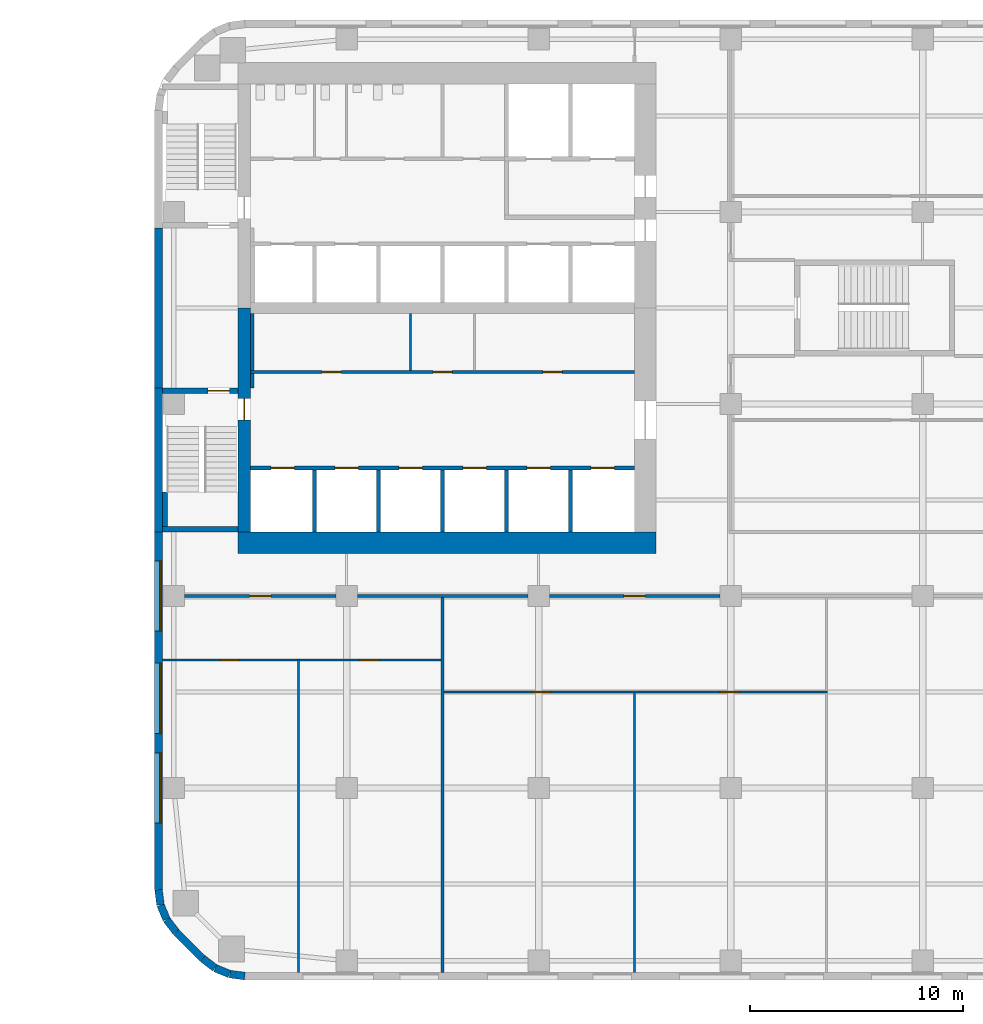
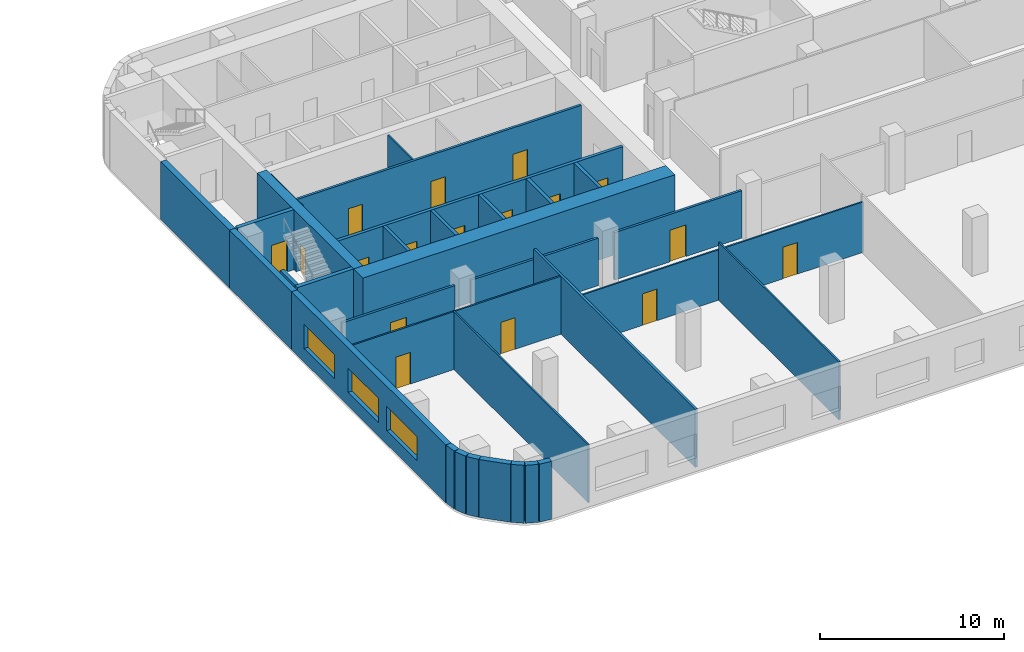
# One storey, part 9 of 16: 34 walls, 17 doors, 3 windows, 20 openings.
"""IFC4 building model written with IfcOpenShell, lengths in metres."""

from ifc_helpers import new_model, si_unit, direction, frame, frame_2d, origin, place, context, subcontext, project, spatial, rectangle, extrude, material, layer, layer_set, type_object, element, fill, save


model = new_model("IFC4")

# Units and contexts
model_context = context("Model", 3, precision=1e-05, world=origin(), true_north=direction((0.0, 1.0)))
body_context = subcontext(model_context, "Body", "Model", "MODEL_VIEW")
ifc_project = project(units=[si_unit("LENGTHUNIT", "METRE"), si_unit("AREAUNIT", "SQUARE_METRE"), si_unit("VOLUMEUNIT", "CUBIC_METRE"), si_unit("PLANEANGLEUNIT", "RADIAN"), si_unit("MASSUNIT", "GRAM", prefix="KILO")], contexts=[model_context])

# Site, building, storey
site_placement = place(None, origin())
site = spatial("IfcSite", under=ifc_project, at=site_placement, CompositionType="ELEMENT")
building_placement = place(site_placement, origin())
building = spatial("IfcBuilding", under=site, at=building_placement, Name="Cinnabar Reach Civic Tower", CompositionType="ELEMENT")
storey_placement = place(building_placement, frame((0.0, 0.0, 30.0)))
storey = spatial("IfcBuildingStorey", under=building, at=storey_placement, Name="L06", CompositionType="ELEMENT", Elevation=30.0)

# Walls
ifc_material_1 = material(Name="Facing brick with insulated backing", Category="masonry")
ifc_layer_1 = layer(ifc_material_1, 0.36)
ifc_layer_set_1 = layer_set([ifc_layer_1], Name="Brick corner wall")
wall_type_1 = type_object("IfcWallType", Name="Brick corner wall", PredefinedType="STANDARD", material=ifc_layer_set_1)
for number, where, z_axis, x_axis, name in (
    (1, (0.183, 4.2314, 0.0), (0.0, 0.0, 1.0), (0.13055608231, -0.99144092581, 0.0), "Brick corner wall"),
    (2, (0.2819, 3.5027, 0.0), (0.0, 0.0, 1.0), (0.382702709855, -0.923871547278, 0.0), "Brick corner wall"),
):
    element("IfcWall", number, at=place(storey_placement, frame(where, z_axis=z_axis, x_axis=x_axis)), inside=storey, type_object=wall_type_1, Name=name, PredefinedType="STANDARD", context=body_context, shape_type="SweptSolid", body=[
        extrude(rectangle(XDim=0.7131, YDim=0.36, at=frame_2d((0.3565, 0.0))), origin(), (0.0, 0.0, 1.0), 3.85),
    ])
for number, where, z_axis, x_axis, name in (
    (3, (0.566, 2.8245, 0.0), (0.0, 0.0, 1.0), (0.608802368033, -0.793321924995, 0.0), "Brick corner wall"),
    (4, (2.2587, 1.0002, 0.0), (0.0, 0.0, 1.0), (0.793321924995, -0.608802368033, 0.0), "Brick corner wall"),
):
    element("IfcWall", number, at=place(storey_placement, frame(where, z_axis=z_axis, x_axis=x_axis)), inside=storey, type_object=wall_type_1, Name=name, PredefinedType="STANDARD", context=body_context, shape_type="SweptSolid", body=[
        extrude(rectangle(XDim=0.7132, YDim=0.36, at=frame_2d((0.3566, 0.0))), origin(), (0.0, 0.0, 1.0), 3.85),
    ])
for number, where, z_axis, x_axis, name in (
    (5, (2.8439, 0.5548, 0.0), (0.0, 0.0, 1.0), (0.923871547278, -0.382702709855, 0.0), "Brick corner wall"),
    (6, (3.5244, 0.2761, 0.0), (0.0, 0.0, 1.0), (0.99144092581, -0.13055608231, 0.0), "Brick corner wall"),
):
    element("IfcWall", number, at=place(storey_placement, frame(where, z_axis=z_axis, x_axis=x_axis)), inside=storey, type_object=wall_type_1, Name=name, PredefinedType="STANDARD", context=body_context, shape_type="SweptSolid", body=[
        extrude(rectangle(XDim=0.7131, YDim=0.36, at=frame_2d((0.3565, 0.0))), origin(), (0.0, 0.0, 1.0), 3.85),
    ])
ifc_layer_2 = layer(ifc_material_1, 0.36)
ifc_layer_set_2 = layer_set([ifc_layer_2], Name="Brick pier and spandrel wall")
wall_type_2 = type_object("IfcWallType", Name="Brick pier and spandrel wall", PredefinedType="STANDARD", material=ifc_layer_set_2)
wall_1_placement = place(storey_placement, frame((0.18, 35.25, 0.0), z_axis=(0.0, 0.0, 1.0), x_axis=(0.0, -1.0, 0.0)))
element("IfcWall", 7, at=wall_1_placement, inside=storey, type_object=wall_type_2, Name="Brick facade wall", PredefinedType="STANDARD", context=body_context, shape_type="SweptSolid", body=[
    extrude(rectangle(XDim=7.5, YDim=0.36, at=frame_2d((3.75, 0.0))), origin(), (0.0, 0.0, 1.0), 3.85),
])
wall_2_placement = place(storey_placement, frame((0.18, 27.75, 0.0), z_axis=(0.0, 0.0, 1.0), x_axis=(0.0, -1.0, 0.0)))
element("IfcWall", 8, at=wall_2_placement, inside=storey, type_object=wall_type_2, Name="Brick facade wall", PredefinedType="STANDARD", context=body_context, shape_type="SweptSolid", body=[
    extrude(rectangle(XDim=6.75, YDim=0.36, at=frame_2d((3.375, 0.0))), origin(), (0.0, 0.0, 1.0), 3.85),
])

# Wall, openings, windows
wall_3_placement = place(storey_placement, frame((0.18, 21.0, 0.0), z_axis=(0.0, 0.0, 1.0), x_axis=(0.0, -1.0, 0.0)))
wall_3 = element("IfcWall", 9, at=wall_3_placement, inside=storey, type_object=wall_type_2, Name="Brick facade wall", PredefinedType="STANDARD", context=body_context, shape_type="SweptSolid", body=[
    extrude(rectangle(XDim=16.7574, YDim=0.36, at=frame_2d((8.3787, 0.0))), origin(), (0.0, 0.0, 1.0), 3.85),
])
opening_1_placement = place(wall_3_placement, frame((1.35, 0.0, 0.9)))
opening_1 = element("IfcOpeningElement", 10, at=opening_1_placement, cuts=wall_3, Name="Opening W1048", PredefinedType="OPENING", context=body_context, shape_type="SweptSolid", body=[
    extrude(rectangle(XDim=3.3, YDim=1.6, at=frame_2d((1.65, 0.8))), frame((0.0, 0.19, 0.0), z_axis=(0.0, -1.0, 0.0), x_axis=(1.0, 0.0, 0.0)), (0.0, 0.0, 1.0), 0.38),
])
opening_2_placement = place(wall_3_placement, frame((6.15, 0.0, 0.9)))
opening_2 = element("IfcOpeningElement", 11, at=opening_2_placement, cuts=wall_3, Name="Opening W1049", PredefinedType="OPENING", context=body_context, shape_type="SweptSolid", body=[
    extrude(rectangle(XDim=3.3, YDim=1.6, at=frame_2d((1.65, 0.8))), frame((0.0, 0.19, 0.0), z_axis=(0.0, -1.0, 0.0), x_axis=(1.0, 0.0, 0.0)), (0.0, 0.0, 1.0), 0.38),
])
opening_3_placement = place(wall_3_placement, frame((10.35, 0.0, 0.9)))
opening_3 = element("IfcOpeningElement", 12, at=opening_3_placement, cuts=wall_3, Name="Opening W1050", PredefinedType="OPENING", context=body_context, shape_type="SweptSolid", body=[
    extrude(rectangle(XDim=3.3, YDim=1.6, at=frame_2d((1.65, 0.8))), frame((0.0, 0.19, 0.0), z_axis=(0.0, -1.0, 0.0), x_axis=(1.0, 0.0, 0.0)), (0.0, 0.0, 1.0), 0.38),
])
ifc_material_2 = material(Name="Clear double glazing in aluminium frame", Category="aluminium")
window_type = type_object("IfcWindowType", Name="Deep-set window A", PartitioningType="SINGLE_PANEL", PredefinedType="WINDOW", material=ifc_material_2)
window_1_placement = place(opening_1_placement, origin())
window_1 = element("IfcWindow", 13, at=window_1_placement, inside=storey, type_object=window_type, Name="Window west face", OverallHeight=1.6, OverallWidth=3.3, PartitioningType="SINGLE_PANEL", PredefinedType="WINDOW", context=body_context, shape_type="SweptSolid", body=[
    extrude(rectangle(XDim=3.3, YDim=1.6, at=frame_2d((1.65, 0.8))), frame((0.0, 0.13, 0.0), z_axis=(0.0, -1.0, 0.0), x_axis=(1.0, 0.0, 0.0)), (0.0, 0.0, 1.0), 0.06),
])
fill(opening_1, window_1)
window_2_placement = place(opening_2_placement, origin())
window_2 = element("IfcWindow", 14, at=window_2_placement, inside=storey, type_object=window_type, Name="Window west face", OverallHeight=1.6, OverallWidth=3.3, PartitioningType="SINGLE_PANEL", PredefinedType="WINDOW", context=body_context, shape_type="SweptSolid", body=[
    extrude(rectangle(XDim=3.3, YDim=1.6, at=frame_2d((1.65, 0.8))), frame((0.0, 0.13, 0.0), z_axis=(0.0, -1.0, 0.0), x_axis=(1.0, 0.0, 0.0)), (0.0, 0.0, 1.0), 0.06),
])
fill(opening_2, window_2)
window_3_placement = place(opening_3_placement, origin())
window_3 = element("IfcWindow", 15, at=window_3_placement, inside=storey, type_object=window_type, Name="Window west face", OverallHeight=1.6, OverallWidth=3.3, PartitioningType="SINGLE_PANEL", PredefinedType="WINDOW", context=body_context, shape_type="SweptSolid", body=[
    extrude(rectangle(XDim=3.3, YDim=1.6, at=frame_2d((1.65, 0.8))), frame((0.0, 0.13, 0.0), z_axis=(0.0, -1.0, 0.0), x_axis=(1.0, 0.0, 0.0)), (0.0, 0.0, 1.0), 0.06),
])
fill(opening_3, window_3)

# Walls
wall_4_placement = place(storey_placement, frame((1.006, 2.2486, 0.0), z_axis=(0.0, 0.0, 1.0), x_axis=(0.707106781187, -0.707106781187, 0.0)))
element("IfcWall", 16, at=wall_4_placement, inside=storey, type_object=wall_type_2, Name="Brick facade wall", PredefinedType="STANDARD", context=body_context, shape_type="SweptSolid", body=[
    extrude(rectangle(XDim=1.7573, YDim=0.36, at=frame_2d((0.8787, 0.0))), origin(), (0.0, 0.0, 1.0), 3.85),
])
ifc_material_3 = material(Name="Concrete C70", Category="concrete")
ifc_layer_3 = layer(ifc_material_3, 1.0)
ifc_layer_set_3 = layer_set([ifc_layer_3], Name="Core wall 1000 EI 180")
wall_type_3 = type_object("IfcWallType", Name="Core wall 1000 EI 180", PredefinedType="SOLIDWALL", material=ifc_layer_set_3)
wall_5_placement = place(storey_placement, frame((3.9, 20.5, 0.0), z_axis=(0.0, 0.0, 1.0), x_axis=(1.0, 0.0, 0.0)))
element("IfcWall", 17, at=wall_5_placement, inside=storey, type_object=wall_type_3, Name="Core wall T1 L06 S", PredefinedType="SOLIDWALL", context=body_context, shape_type="SweptSolid", body=[
    extrude(rectangle(XDim=19.6, YDim=1.0, at=frame_2d((9.8, 0.0))), origin(), (0.0, 0.0, 1.0), 4.0),
])

# Wall, opening, door
ifc_layer_4 = layer(ifc_material_3, 0.6)
ifc_layer_set_4 = layer_set([ifc_layer_4], Name="Core wall 600 EI 180")
wall_type_4 = type_object("IfcWallType", Name="Core wall 600 EI 180", PredefinedType="SOLIDWALL", material=ifc_layer_set_4)
wall_6_placement = place(storey_placement, frame((4.2, 31.5, 0.0), z_axis=(0.0, 0.0, 1.0), x_axis=(0.0, -1.0, 0.0)))
wall_6 = element("IfcWall", 18, at=wall_6_placement, inside=storey, type_object=wall_type_4, Name="Core wall T1 L06 W2", PredefinedType="SOLIDWALL", context=body_context, shape_type="SweptSolid", body=[
    extrude(rectangle(XDim=10.5, YDim=0.6, at=frame_2d((5.25, 0.0))), origin(), (0.0, 0.0, 1.0), 4.0),
])
opening_4_placement = place(wall_6_placement, frame((4.25, 0.0, 0.0)))
opening_4 = element("IfcOpeningElement", 19, at=opening_4_placement, cuts=wall_6, Name="Opening D3231", PredefinedType="OPENING", context=body_context, shape_type="SweptSolid", body=[
    extrude(rectangle(XDim=1.0, YDim=2.1, at=frame_2d((0.5, 1.05))), frame((0.0, 0.31, 0.0), z_axis=(0.0, -1.0, 0.0), x_axis=(1.0, 0.0, 0.0)), (0.0, 0.0, 1.0), 0.62),
])
ifc_material_4 = material(Name="Timber door leaf in steel frame", Category="steel")
door_type_1 = type_object("IfcDoorType", Name="Stair door 1000 x 2100 T1", OperationType="SINGLE_SWING_LEFT", PredefinedType="DOOR", material=ifc_material_4)
door_1_placement = place(opening_4_placement, frame((1.0, 0.0, 0.0), z_axis=(0.0, 0.0, 1.0), x_axis=(-1.0, 0.0, 0.0)))
door_1 = element("IfcDoor", 20, at=door_1_placement, inside=storey, type_object=door_type_1, Name="Door D3231", OperationType="SINGLE_SWING_RIGHT", OverallHeight=2.1, OverallWidth=1.0, PredefinedType="DOOR", context=body_context, shape_type="SweptSolid", body=[
    extrude(rectangle(XDim=1.0, YDim=2.1, at=frame_2d((0.5, 1.05))), frame((0.0, 0.025, 0.0), z_axis=(0.0, -1.0, 0.0), x_axis=(1.0, 0.0, 0.0)), (0.0, 0.0, 1.0), 0.05),
])
fill(opening_4, door_1)

ifc_material_5 = material(Name="Gypsum board on steel studs, double layer", Category="steel")
ifc_layer_5 = layer(ifc_material_5, 0.15)
ifc_layer_set_5 = layer_set([ifc_layer_5], Name="Corridor wall 150 T1")
wall_type_5 = type_object("IfcWallType", Name="Corridor wall 150 T1", PredefinedType="PARTITIONING", material=ifc_layer_set_5)
wall_7_placement = place(storey_placement, frame((18.5, 18.0, 0.0), z_axis=(0.0, 0.0, 1.0), x_axis=(1.0, 0.0, 0.0)))
wall_7 = element("IfcWall", 21, at=wall_7_placement, inside=storey, type_object=wall_type_5, Name="Corridor wall 23", PredefinedType="PARTITIONING", context=body_context, shape_type="SweptSolid", body=[
    extrude(rectangle(XDim=8.0, YDim=0.15, at=frame_2d((4.0, 0.0))), origin(), (0.0, 0.0, 1.0), 3.15),
])
opening_5_placement = place(wall_7_placement, frame((3.5, 0.0, 0.0)))
opening_5 = element("IfcOpeningElement", 22, at=opening_5_placement, cuts=wall_7, Name="Opening D3267", PredefinedType="OPENING", context=body_context, shape_type="SweptSolid", body=[
    extrude(rectangle(XDim=1.0, YDim=2.1, at=frame_2d((0.5, 1.05))), frame((0.0, 0.085, 0.0), z_axis=(0.0, -1.0, 0.0), x_axis=(1.0, 0.0, 0.0)), (0.0, 0.0, 1.0), 0.17),
])
door_type_2 = type_object("IfcDoorType", Name="Tenancy entrance door 1000 x 2100 T1", OperationType="SINGLE_SWING_LEFT", PredefinedType="DOOR", material=ifc_material_4)
door_2_placement = place(opening_5_placement, frame((1.0, 0.0, 0.0), z_axis=(0.0, 0.0, 1.0), x_axis=(-1.0, 0.0, 0.0)))
door_2 = element("IfcDoor", 23, at=door_2_placement, inside=storey, type_object=door_type_2, Name="Door D3267", OperationType="SINGLE_SWING_LEFT", OverallHeight=2.1, OverallWidth=1.0, PredefinedType="DOOR", context=body_context, shape_type="SweptSolid", body=[
    extrude(rectangle(XDim=1.0, YDim=2.1, at=frame_2d((0.5, 1.05))), frame((0.0, 0.025, 0.0), z_axis=(0.0, -1.0, 0.0), x_axis=(1.0, 0.0, 0.0)), (0.0, 0.0, 1.0), 0.05),
])
fill(opening_5, door_2)

# Wall
wall_8_placement = place(storey_placement, frame((9.5, 18.0, 0.0), z_axis=(0.0, 0.0, 1.0), x_axis=(1.0, 0.0, 0.0)))
element("IfcWall", 24, at=wall_8_placement, inside=storey, type_object=wall_type_5, Name="Corridor wall 24", PredefinedType="PARTITIONING", context=body_context, shape_type="SweptSolid", body=[
    extrude(rectangle(XDim=8.0, YDim=0.15, at=frame_2d((4.0, 0.0))), origin(), (0.0, 0.0, 1.0), 3.15),
])

# Wall, opening, door
wall_9_placement = place(storey_placement, frame((1.4, 18.0, 0.0), z_axis=(0.0, 0.0, 1.0), x_axis=(1.0, 0.0, 0.0)))
wall_9 = element("IfcWall", 25, at=wall_9_placement, inside=storey, type_object=wall_type_5, Name="Corridor wall 25", PredefinedType="PARTITIONING", context=body_context, shape_type="SweptSolid", body=[
    extrude(rectangle(XDim=7.1, YDim=0.15, at=frame_2d((3.55, 0.0))), origin(), (0.0, 0.0, 1.0), 3.15),
])
opening_6_placement = place(wall_9_placement, frame((3.05, 0.0, 0.0)))
opening_6 = element("IfcOpeningElement", 26, at=opening_6_placement, cuts=wall_9, Name="Opening D3264", PredefinedType="OPENING", context=body_context, shape_type="SweptSolid", body=[
    extrude(rectangle(XDim=1.0, YDim=2.1, at=frame_2d((0.5, 1.05))), frame((0.0, 0.085, 0.0), z_axis=(0.0, -1.0, 0.0), x_axis=(1.0, 0.0, 0.0)), (0.0, 0.0, 1.0), 0.17),
])
door_3_placement = place(opening_6_placement, frame((1.0, 0.0, 0.0), z_axis=(0.0, 0.0, 1.0), x_axis=(-1.0, 0.0, 0.0)))
door_3 = element("IfcDoor", 27, at=door_3_placement, inside=storey, type_object=door_type_2, Name="Door D3264", OperationType="SINGLE_SWING_LEFT", OverallHeight=2.1, OverallWidth=1.0, PredefinedType="DOOR", context=body_context, shape_type="SweptSolid", body=[
    extrude(rectangle(XDim=1.0, YDim=2.1, at=frame_2d((0.5, 1.05))), frame((0.0, 0.025, 0.0), z_axis=(0.0, -1.0, 0.0), x_axis=(1.0, 0.0, 0.0)), (0.0, 0.0, 1.0), 0.05),
])
fill(opening_6, door_3)

# Wall, openings, doors
wall_10_placement = place(storey_placement, frame((4.5, 28.5, 0.0), z_axis=(0.0, 0.0, 1.0), x_axis=(1.0, 0.0, 0.0)))
wall_10 = element("IfcWall", 28, at=wall_10_placement, inside=storey, type_object=wall_type_5, Name="Corridor wall 27", PredefinedType="PARTITIONING", context=body_context, shape_type="SweptSolid", body=[
    extrude(rectangle(XDim=18.0, YDim=0.15, at=frame_2d((9.0, 0.0))), origin(), (0.0, 0.0, 1.0), 3.85),
])
opening_7_placement = place(wall_10_placement, frame((3.35, 0.0, 0.0)))
opening_7 = element("IfcOpeningElement", 29, at=opening_7_placement, cuts=wall_10, Name="Opening D3251", PredefinedType="OPENING", context=body_context, shape_type="SweptSolid", body=[
    extrude(rectangle(XDim=0.9, YDim=2.1, at=frame_2d((0.45, 1.05))), frame((0.0, 0.085, 0.0), z_axis=(0.0, -1.0, 0.0), x_axis=(1.0, 0.0, 0.0)), (0.0, 0.0, 1.0), 0.17),
])
opening_8_placement = place(wall_10_placement, frame((8.55, 0.0, 0.0)))
opening_8 = element("IfcOpeningElement", 30, at=opening_8_placement, cuts=wall_10, Name="Opening D3252", PredefinedType="OPENING", context=body_context, shape_type="SweptSolid", body=[
    extrude(rectangle(XDim=0.9, YDim=2.1, at=frame_2d((0.45, 1.05))), frame((0.0, 0.085, 0.0), z_axis=(0.0, -1.0, 0.0), x_axis=(1.0, 0.0, 0.0)), (0.0, 0.0, 1.0), 0.17),
])
opening_9_placement = place(wall_10_placement, frame((13.7, 0.0, 0.0)))
opening_9 = element("IfcOpeningElement", 31, at=opening_9_placement, cuts=wall_10, Name="Opening D3253", PredefinedType="OPENING", context=body_context, shape_type="SweptSolid", body=[
    extrude(rectangle(XDim=0.9, YDim=2.1, at=frame_2d((0.45, 1.05))), frame((0.0, 0.085, 0.0), z_axis=(0.0, -1.0, 0.0), x_axis=(1.0, 0.0, 0.0)), (0.0, 0.0, 1.0), 0.17),
])
door_type_3 = type_object("IfcDoorType", Name="Single swing door 900 x 2100 corridor T1", OperationType="SINGLE_SWING_LEFT", PredefinedType="DOOR", material=ifc_material_4)
door_4_placement = place(opening_7_placement, origin())
door_4 = element("IfcDoor", 32, at=door_4_placement, inside=storey, type_object=door_type_3, Name="Door D3251", OperationType="SINGLE_SWING_LEFT", OverallHeight=2.1, OverallWidth=0.9, PredefinedType="DOOR", context=body_context, shape_type="SweptSolid", body=[
    extrude(rectangle(XDim=0.9, YDim=2.1, at=frame_2d((0.45, 1.05))), frame((0.0, 0.025, 0.0), z_axis=(0.0, -1.0, 0.0), x_axis=(1.0, 0.0, 0.0)), (0.0, 0.0, 1.0), 0.05),
])
fill(opening_7, door_4)
door_5_placement = place(opening_8_placement, origin())
door_5 = element("IfcDoor", 33, at=door_5_placement, inside=storey, type_object=door_type_3, Name="Door D3252", OperationType="SINGLE_SWING_LEFT", OverallHeight=2.1, OverallWidth=0.9, PredefinedType="DOOR", context=body_context, shape_type="SweptSolid", body=[
    extrude(rectangle(XDim=0.9, YDim=2.1, at=frame_2d((0.45, 1.05))), frame((0.0, 0.025, 0.0), z_axis=(0.0, -1.0, 0.0), x_axis=(1.0, 0.0, 0.0)), (0.0, 0.0, 1.0), 0.05),
])
fill(opening_8, door_5)
door_6_placement = place(opening_9_placement, origin())
door_6 = element("IfcDoor", 34, at=door_6_placement, inside=storey, type_object=door_type_3, Name="Door D3253", OperationType="SINGLE_SWING_RIGHT", OverallHeight=2.1, OverallWidth=0.9, PredefinedType="DOOR", context=body_context, shape_type="SweptSolid", body=[
    extrude(rectangle(XDim=0.9, YDim=2.1, at=frame_2d((0.45, 1.05))), frame((0.0, 0.025, 0.0), z_axis=(0.0, -1.0, 0.0), x_axis=(1.0, 0.0, 0.0)), (0.0, 0.0, 1.0), 0.05),
])
fill(opening_9, door_6)

# Walls
wall_11_placement = place(storey_placement, frame((4.575, 27.75, 0.0), z_axis=(0.0, 0.0, 1.0), x_axis=(0.0, 1.0, 0.0)))
element("IfcWall", 35, at=wall_11_placement, inside=storey, type_object=wall_type_5, Name="Corridor wall 33", PredefinedType="PARTITIONING", context=body_context, shape_type="SweptSolid", body=[
    extrude(rectangle(XDim=0.675, YDim=0.15, at=frame_2d((0.3375, 0.0))), origin(), (0.0, 0.0, 1.0), 3.85),
])
wall_12_placement = place(storey_placement, frame((4.575, 28.575, 0.0), z_axis=(0.0, 0.0, 1.0), x_axis=(0.0, 1.0, 0.0)))
element("IfcWall", 36, at=wall_12_placement, inside=storey, type_object=wall_type_5, Name="Corridor wall 34", PredefinedType="PARTITIONING", context=body_context, shape_type="SweptSolid", body=[
    extrude(rectangle(XDim=2.675, YDim=0.15, at=frame_2d((1.3375, 0.0))), origin(), (0.0, 0.0, 1.0), 3.85),
])

# Wall, openings, doors
ifc_material_6 = material(Name="Blockwork", Category="masonry")
ifc_layer_6 = layer(ifc_material_6, 0.2)
ifc_layer_set_6 = layer_set([ifc_layer_6], Name="Lift shaft wall 200 T1")
wall_type_6 = type_object("IfcWallType", Name="Lift shaft wall 200 T1", PredefinedType="PARTITIONING", material=ifc_layer_set_6)
wall_13_placement = place(storey_placement, frame((4.5, 24.0, 0.0), z_axis=(0.0, 0.0, 1.0), x_axis=(1.0, 0.0, 0.0)))
wall_13 = element("IfcWall", 37, at=wall_13_placement, inside=storey, type_object=wall_type_6, Name="Lift shaft wall 4", PredefinedType="PARTITIONING", context=body_context, shape_type="SweptSolid", body=[
    extrude(rectangle(XDim=18.0, YDim=0.2, at=frame_2d((9.0, 0.0))), origin(), (0.0, 0.0, 1.0), 3.85),
])
opening_10_placement = place(wall_13_placement, frame((0.95, 0.0, 0.0)))
opening_10 = element("IfcOpeningElement", 38, at=opening_10_placement, cuts=wall_13, Name="Opening D3235", PredefinedType="OPENING", context=body_context, shape_type="SweptSolid", body=[
    extrude(rectangle(XDim=1.1, YDim=2.1, at=frame_2d((0.55, 1.05))), frame((0.0, 0.11, 0.0), z_axis=(0.0, -1.0, 0.0), x_axis=(1.0, 0.0, 0.0)), (0.0, 0.0, 1.0), 0.22),
])
opening_11_placement = place(wall_13_placement, frame((3.95, 0.0, 0.0)))
opening_11 = element("IfcOpeningElement", 39, at=opening_11_placement, cuts=wall_13, Name="Opening D3236", PredefinedType="OPENING", context=body_context, shape_type="SweptSolid", body=[
    extrude(rectangle(XDim=1.1, YDim=2.1, at=frame_2d((0.55, 1.05))), frame((0.0, 0.11, 0.0), z_axis=(0.0, -1.0, 0.0), x_axis=(1.0, 0.0, 0.0)), (0.0, 0.0, 1.0), 0.22),
])
opening_12_placement = place(wall_13_placement, frame((6.95, 0.0, 0.0)))
opening_12 = element("IfcOpeningElement", 40, at=opening_12_placement, cuts=wall_13, Name="Opening D3237", PredefinedType="OPENING", context=body_context, shape_type="SweptSolid", body=[
    extrude(rectangle(XDim=1.1, YDim=2.1, at=frame_2d((0.55, 1.05))), frame((0.0, 0.11, 0.0), z_axis=(0.0, -1.0, 0.0), x_axis=(1.0, 0.0, 0.0)), (0.0, 0.0, 1.0), 0.22),
])
opening_13_placement = place(wall_13_placement, frame((9.95, 0.0, 0.0)))
opening_13 = element("IfcOpeningElement", 41, at=opening_13_placement, cuts=wall_13, Name="Opening D3238", PredefinedType="OPENING", context=body_context, shape_type="SweptSolid", body=[
    extrude(rectangle(XDim=1.1, YDim=2.1, at=frame_2d((0.55, 1.05))), frame((0.0, 0.11, 0.0), z_axis=(0.0, -1.0, 0.0), x_axis=(1.0, 0.0, 0.0)), (0.0, 0.0, 1.0), 0.22),
])
opening_14_placement = place(wall_13_placement, frame((12.95, 0.0, 0.0)))
opening_14 = element("IfcOpeningElement", 42, at=opening_14_placement, cuts=wall_13, Name="Opening D3239", PredefinedType="OPENING", context=body_context, shape_type="SweptSolid", body=[
    extrude(rectangle(XDim=1.1, YDim=2.1, at=frame_2d((0.55, 1.05))), frame((0.0, 0.11, 0.0), z_axis=(0.0, -1.0, 0.0), x_axis=(1.0, 0.0, 0.0)), (0.0, 0.0, 1.0), 0.22),
])
opening_15_placement = place(wall_13_placement, frame((15.95, 0.0, 0.0)))
opening_15 = element("IfcOpeningElement", 43, at=opening_15_placement, cuts=wall_13, Name="Opening D3240", PredefinedType="OPENING", context=body_context, shape_type="SweptSolid", body=[
    extrude(rectangle(XDim=1.1, YDim=2.1, at=frame_2d((0.55, 1.05))), frame((0.0, 0.11, 0.0), z_axis=(0.0, -1.0, 0.0), x_axis=(1.0, 0.0, 0.0)), (0.0, 0.0, 1.0), 0.22),
])
ifc_material_7 = material(Name="Stainless steel sliding door", Category="steel")
door_type_4 = type_object("IfcDoorType", Name="Lift landing door 1100 x 2100 T1", OperationType="SLIDING_TO_LEFT", PredefinedType="DOOR", material=ifc_material_7)
door_7_placement = place(opening_10_placement, origin())
door_7 = element("IfcDoor", 44, at=door_7_placement, inside=storey, type_object=door_type_4, Name="Lift landing door LR1 L06", OperationType="SLIDING_TO_LEFT", OverallHeight=2.1, OverallWidth=1.1, PredefinedType="DOOR", context=body_context, shape_type="SweptSolid", body=[
    extrude(rectangle(XDim=1.1, YDim=2.1, at=frame_2d((0.55, 1.05))), frame((0.0, 0.025, 0.0), z_axis=(0.0, -1.0, 0.0), x_axis=(1.0, 0.0, 0.0)), (0.0, 0.0, 1.0), 0.05),
])
fill(opening_10, door_7)
door_8_placement = place(opening_11_placement, origin())
door_8 = element("IfcDoor", 45, at=door_8_placement, inside=storey, type_object=door_type_4, Name="Lift landing door LR2 L06", OperationType="SLIDING_TO_LEFT", OverallHeight=2.1, OverallWidth=1.1, PredefinedType="DOOR", context=body_context, shape_type="SweptSolid", body=[
    extrude(rectangle(XDim=1.1, YDim=2.1, at=frame_2d((0.55, 1.05))), frame((0.0, 0.025, 0.0), z_axis=(0.0, -1.0, 0.0), x_axis=(1.0, 0.0, 0.0)), (0.0, 0.0, 1.0), 0.05),
])
fill(opening_11, door_8)
door_9_placement = place(opening_12_placement, origin())
door_9 = element("IfcDoor", 46, at=door_9_placement, inside=storey, type_object=door_type_4, Name="Lift landing door LR3 L06", OperationType="SLIDING_TO_LEFT", OverallHeight=2.1, OverallWidth=1.1, PredefinedType="DOOR", context=body_context, shape_type="SweptSolid", body=[
    extrude(rectangle(XDim=1.1, YDim=2.1, at=frame_2d((0.55, 1.05))), frame((0.0, 0.025, 0.0), z_axis=(0.0, -1.0, 0.0), x_axis=(1.0, 0.0, 0.0)), (0.0, 0.0, 1.0), 0.05),
])
fill(opening_12, door_9)
door_10_placement = place(opening_13_placement, origin())
door_10 = element("IfcDoor", 47, at=door_10_placement, inside=storey, type_object=door_type_4, Name="Lift landing door LR4 L06", OperationType="SLIDING_TO_LEFT", OverallHeight=2.1, OverallWidth=1.1, PredefinedType="DOOR", context=body_context, shape_type="SweptSolid", body=[
    extrude(rectangle(XDim=1.1, YDim=2.1, at=frame_2d((0.55, 1.05))), frame((0.0, 0.025, 0.0), z_axis=(0.0, -1.0, 0.0), x_axis=(1.0, 0.0, 0.0)), (0.0, 0.0, 1.0), 0.05),
])
fill(opening_13, door_10)
door_11_placement = place(opening_14_placement, origin())
door_11 = element("IfcDoor", 48, at=door_11_placement, inside=storey, type_object=door_type_4, Name="Lift landing door LR5 L06", OperationType="SLIDING_TO_LEFT", OverallHeight=2.1, OverallWidth=1.1, PredefinedType="DOOR", context=body_context, shape_type="SweptSolid", body=[
    extrude(rectangle(XDim=1.1, YDim=2.1, at=frame_2d((0.55, 1.05))), frame((0.0, 0.025, 0.0), z_axis=(0.0, -1.0, 0.0), x_axis=(1.0, 0.0, 0.0)), (0.0, 0.0, 1.0), 0.05),
])
fill(opening_14, door_11)
door_12_placement = place(opening_15_placement, origin())
door_12 = element("IfcDoor", 49, at=door_12_placement, inside=storey, type_object=door_type_4, Name="Lift landing door LR6 L06", OperationType="SLIDING_TO_LEFT", OverallHeight=2.1, OverallWidth=1.1, PredefinedType="DOOR", context=body_context, shape_type="SweptSolid", body=[
    extrude(rectangle(XDim=1.1, YDim=2.1, at=frame_2d((0.55, 1.05))), frame((0.0, 0.025, 0.0), z_axis=(0.0, -1.0, 0.0), x_axis=(1.0, 0.0, 0.0)), (0.0, 0.0, 1.0), 0.05),
])
fill(opening_15, door_12)

# Walls
for number, where, z_axis, x_axis, name in (
    (50, (7.5, 21.0, 0.0), (0.0, 0.0, 1.0), (0.0, 1.0, 0.0), "Lift shaft wall 9"),
    (51, (10.5, 21.0, 0.0), (0.0, 0.0, 1.0), (0.0, 1.0, 0.0), "Lift shaft wall 11"),
    (52, (13.5, 21.0, 0.0), (0.0, 0.0, 1.0), (0.0, 1.0, 0.0), "Lift shaft wall 13"),
    (53, (16.5, 21.0, 0.0), (0.0, 0.0, 1.0), (0.0, 1.0, 0.0), "Lift shaft wall 15"),
    (54, (19.5, 21.0, 0.0), (0.0, 0.0, 1.0), (0.0, 1.0, 0.0), "Lift shaft wall 17"),
):
    element("IfcWall", number, at=place(storey_placement, frame(where, z_axis=z_axis, x_axis=x_axis)), inside=storey, type_object=wall_type_6, Name=name, PredefinedType="PARTITIONING", context=body_context, shape_type="SweptSolid", body=[
        extrude(rectangle(XDim=2.9, YDim=0.2, at=frame_2d((1.45, 0.0))), origin(), (0.0, 0.0, 1.0), 3.85),
    ])

# Wall, openings, doors
ifc_material_8 = material(Name="Gypsum board on steel studs", Category="steel")
ifc_layer_7 = layer(ifc_material_8, 0.1)
ifc_layer_set_7 = layer_set([ifc_layer_7], Name="Partition wall 100 T1")
wall_type_7 = type_object("IfcWallType", Name="Partition wall 100 T1", PredefinedType="PARTITIONING", material=ifc_layer_set_7)
wall_14_placement = place(storey_placement, frame((13.575, 13.5, 0.0), z_axis=(0.0, 0.0, 1.0), x_axis=(1.0, 0.0, 0.0)))
wall_14 = element("IfcWall", 55, at=wall_14_placement, inside=storey, type_object=wall_type_7, Name="Partition wall 44", PredefinedType="PARTITIONING", context=body_context, shape_type="SweptSolid", body=[
    extrude(rectangle(XDim=17.975, YDim=0.1, at=frame_2d((8.9875, 0.0))), origin(), (0.0, 0.0, 1.0), 3.35),
])
opening_16_placement = place(wall_14_placement, frame((4.1, 0.0, 0.0)))
opening_16 = element("IfcOpeningElement", 56, at=opening_16_placement, cuts=wall_14, Name="Opening D3268", PredefinedType="OPENING", context=body_context, shape_type="SweptSolid", body=[
    extrude(rectangle(XDim=0.9, YDim=2.1, at=frame_2d((0.45, 1.05))), frame((0.0, 0.06, 0.0), z_axis=(0.0, -1.0, 0.0), x_axis=(1.0, 0.0, 0.0)), (0.0, 0.0, 1.0), 0.12),
])
opening_17_placement = place(wall_14_placement, frame((12.925, 0.0, 0.0)))
opening_17 = element("IfcOpeningElement", 57, at=opening_17_placement, cuts=wall_14, Name="Opening D3269", PredefinedType="OPENING", context=body_context, shape_type="SweptSolid", body=[
    extrude(rectangle(XDim=0.9, YDim=2.1, at=frame_2d((0.45, 1.05))), frame((0.0, 0.06, 0.0), z_axis=(0.0, -1.0, 0.0), x_axis=(1.0, 0.0, 0.0)), (0.0, 0.0, 1.0), 0.12),
])
door_type_5 = type_object("IfcDoorType", Name="Single swing door 900 x 2100 T1", OperationType="SINGLE_SWING_LEFT", PredefinedType="DOOR", material=ifc_material_4)
door_13_placement = place(opening_16_placement, origin())
door_13 = element("IfcDoor", 58, at=door_13_placement, inside=storey, type_object=door_type_5, Name="Door D3268", OperationType="SINGLE_SWING_LEFT", OverallHeight=2.1, OverallWidth=0.9, PredefinedType="DOOR", context=body_context, shape_type="SweptSolid", body=[
    extrude(rectangle(XDim=0.9, YDim=2.1, at=frame_2d((0.45, 1.05))), frame((0.0, 0.025, 0.0), z_axis=(0.0, -1.0, 0.0), x_axis=(1.0, 0.0, 0.0)), (0.0, 0.0, 1.0), 0.05),
])
fill(opening_16, door_13)
door_14_placement = place(opening_17_placement, origin())
door_14 = element("IfcDoor", 59, at=door_14_placement, inside=storey, type_object=door_type_5, Name="Door D3269", OperationType="SINGLE_SWING_LEFT", OverallHeight=2.1, OverallWidth=0.9, PredefinedType="DOOR", context=body_context, shape_type="SweptSolid", body=[
    extrude(rectangle(XDim=0.9, YDim=2.1, at=frame_2d((0.45, 1.05))), frame((0.0, 0.025, 0.0), z_axis=(0.0, -1.0, 0.0), x_axis=(1.0, 0.0, 0.0)), (0.0, 0.0, 1.0), 0.05),
])
fill(opening_17, door_14)

# Wall
wall_15_placement = place(storey_placement, frame((6.75, 0.36, 0.0), z_axis=(0.0, 0.0, 1.0), x_axis=(0.0, 1.0, 0.0)))
element("IfcWall", 60, at=wall_15_placement, inside=storey, type_object=wall_type_7, Name="Partition wall 49", PredefinedType="PARTITIONING", context=body_context, shape_type="SweptSolid", body=[
    extrude(rectangle(XDim=14.69, YDim=0.1, at=frame_2d((7.345, 0.0))), origin(), (0.0, 0.0, 1.0), 3.85),
])

# Wall, opening, door
wall_16_placement = place(storey_placement, frame((6.8, 15.0, 0.0), z_axis=(0.0, 0.0, 1.0), x_axis=(1.0, 0.0, 0.0)))
wall_16 = element("IfcWall", 61, at=wall_16_placement, inside=storey, type_object=wall_type_7, Name="Partition wall 50", PredefinedType="PARTITIONING", context=body_context, shape_type="SweptSolid", body=[
    extrude(rectangle(XDim=6.625, YDim=0.1, at=frame_2d((3.3125, 0.0))), origin(), (0.0, 0.0, 1.0), 3.85),
])
opening_18_placement = place(wall_16_placement, frame((2.85, 0.0, 0.0)))
opening_18 = element("IfcOpeningElement", 62, at=opening_18_placement, cuts=wall_16, Name="Opening D3266", PredefinedType="OPENING", context=body_context, shape_type="SweptSolid", body=[
    extrude(rectangle(XDim=0.9, YDim=2.1, at=frame_2d((0.45, 1.05))), frame((0.0, 0.06, 0.0), z_axis=(0.0, -1.0, 0.0), x_axis=(1.0, 0.0, 0.0)), (0.0, 0.0, 1.0), 0.12),
])
door_15_placement = place(opening_18_placement, origin())
door_15 = element("IfcDoor", 63, at=door_15_placement, inside=storey, type_object=door_type_5, Name="Door D3266", OperationType="SINGLE_SWING_LEFT", OverallHeight=2.1, OverallWidth=0.9, PredefinedType="DOOR", context=body_context, shape_type="SweptSolid", body=[
    extrude(rectangle(XDim=0.9, YDim=2.1, at=frame_2d((0.45, 1.05))), frame((0.0, 0.025, 0.0), z_axis=(0.0, -1.0, 0.0), x_axis=(1.0, 0.0, 0.0)), (0.0, 0.0, 1.0), 0.05),
])
fill(opening_18, door_15)

wall_17_placement = place(storey_placement, frame((0.36, 15.0, 0.0), z_axis=(0.0, 0.0, 1.0), x_axis=(1.0, 0.0, 0.0)))
wall_17 = element("IfcWall", 64, at=wall_17_placement, inside=storey, type_object=wall_type_7, Name="Partition wall 51", PredefinedType="PARTITIONING", context=body_context, shape_type="SweptSolid", body=[
    extrude(rectangle(XDim=6.34, YDim=0.1, at=frame_2d((3.17, 0.0))), origin(), (0.0, 0.0, 1.0), 3.85),
])
opening_19_placement = place(wall_17_placement, frame((2.7, 0.0, 0.0)))
opening_19 = element("IfcOpeningElement", 65, at=opening_19_placement, cuts=wall_17, Name="Opening D3265", PredefinedType="OPENING", context=body_context, shape_type="SweptSolid", body=[
    extrude(rectangle(XDim=0.9, YDim=2.1, at=frame_2d((0.45, 1.05))), frame((0.0, 0.06, 0.0), z_axis=(0.0, -1.0, 0.0), x_axis=(1.0, 0.0, 0.0)), (0.0, 0.0, 1.0), 0.12),
])
door_16_placement = place(opening_19_placement, origin())
door_16 = element("IfcDoor", 66, at=door_16_placement, inside=storey, type_object=door_type_5, Name="Door D3265", OperationType="SINGLE_SWING_LEFT", OverallHeight=2.1, OverallWidth=0.9, PredefinedType="DOOR", context=body_context, shape_type="SweptSolid", body=[
    extrude(rectangle(XDim=0.9, YDim=2.1, at=frame_2d((0.45, 1.05))), frame((0.0, 0.025, 0.0), z_axis=(0.0, -1.0, 0.0), x_axis=(1.0, 0.0, 0.0)), (0.0, 0.0, 1.0), 0.05),
])
fill(opening_19, door_16)

# Walls
wall_18_placement = place(storey_placement, frame((22.5, 0.36, 0.0), z_axis=(0.0, 0.0, 1.0), x_axis=(0.0, 1.0, 0.0)))
element("IfcWall", 67, at=wall_18_placement, inside=storey, type_object=wall_type_7, Name="Partition wall 52", PredefinedType="PARTITIONING", context=body_context, shape_type="SweptSolid", body=[
    extrude(rectangle(XDim=13.09, YDim=0.1, at=frame_2d((6.545, 0.0))), origin(), (0.0, 0.0, 1.0), 3.85),
])
wall_19_placement = place(storey_placement, frame((12.0, 28.575, 0.0), z_axis=(0.0, 0.0, 1.0), x_axis=(0.0, 1.0, 0.0)))
element("IfcWall", 68, at=wall_19_placement, inside=storey, type_object=wall_type_7, Name="Partition wall 57", PredefinedType="PARTITIONING", context=body_context, shape_type="SweptSolid", body=[
    extrude(rectangle(XDim=2.675, YDim=0.1, at=frame_2d((1.3375, 0.0))), origin(), (0.0, 0.0, 1.0), 3.85),
])
ifc_material_9 = material(Name="Concrete C60", Category="concrete")
ifc_layer_8 = layer(ifc_material_9, 0.25)
ifc_layer_set_8 = layer_set([ifc_layer_8], Name="Stair shaft wall 250 EI 120")
wall_type_8 = type_object("IfcWallType", Name="Stair shaft wall 250 EI 120", PredefinedType="SOLIDWALL", material=ifc_layer_set_8)
wall_20_placement = place(storey_placement, frame((0.36, 21.125, 0.0), z_axis=(0.0, 0.0, 1.0), x_axis=(1.0, 0.0, 0.0)))
element("IfcWall", 69, at=wall_20_placement, inside=storey, type_object=wall_type_8, Name="Stair shaft wall T1-S1 L06", PredefinedType="SOLIDWALL", context=body_context, shape_type="SweptSolid", body=[
    extrude(rectangle(XDim=3.54, YDim=0.25, at=frame_2d((1.77, 0.0))), origin(), (0.0, 0.0, 1.0), 4.0),
])

# Wall, opening, door
wall_21_placement = place(storey_placement, frame((3.9, 27.625, 0.0), z_axis=(0.0, 0.0, 1.0), x_axis=(-1.0, 0.0, 0.0)))
wall_21 = element("IfcWall", 70, at=wall_21_placement, inside=storey, type_object=wall_type_8, Name="Stair shaft wall T1-S1 L06", PredefinedType="SOLIDWALL", context=body_context, shape_type="SweptSolid", body=[
    extrude(rectangle(XDim=3.54, YDim=0.25, at=frame_2d((1.77, 0.0))), origin(), (0.0, 0.0, 1.0), 4.0),
])
opening_20_placement = place(wall_21_placement, frame((0.4, 0.0, 0.0)))
opening_20 = element("IfcOpeningElement", 71, at=opening_20_placement, cuts=wall_21, Name="Opening D3232", PredefinedType="OPENING", context=body_context, shape_type="SweptSolid", body=[
    extrude(rectangle(XDim=1.0, YDim=2.1, at=frame_2d((0.5, 1.05))), frame((0.0, 0.135, 0.0), z_axis=(0.0, -1.0, 0.0), x_axis=(1.0, 0.0, 0.0)), (0.0, 0.0, 1.0), 0.27),
])
door_17_placement = place(opening_20_placement, origin())
door_17 = element("IfcDoor", 72, at=door_17_placement, inside=storey, type_object=door_type_1, Name="Door D3232", OperationType="SINGLE_SWING_LEFT", OverallHeight=2.1, OverallWidth=1.0, PredefinedType="DOOR", context=body_context, shape_type="SweptSolid", body=[
    extrude(rectangle(XDim=1.0, YDim=2.1, at=frame_2d((0.5, 1.05))), frame((0.0, 0.025, 0.0), z_axis=(0.0, -1.0, 0.0), x_axis=(1.0, 0.0, 0.0)), (0.0, 0.0, 1.0), 0.05),
])
fill(opening_20, door_17)

# Walls
ifc_material_10 = material(Name="Concrete C40/50", Category="concrete")
ifc_layer_9 = layer(ifc_material_10, 0.24)
ifc_layer_set_9 = layer_set([ifc_layer_9], Name="T1 landing bearer wall 240")
wall_type_9 = type_object("IfcWallType", Name="T1 landing bearer wall 240", PredefinedType="STANDARD", material=ifc_layer_set_9)
wall_22_placement = place(storey_placement, frame((0.48, 21.25, 0.0), z_axis=(0.0, 0.0, 1.0), x_axis=(0.0, 1.0, 0.0)))
element("IfcWall", 73, at=wall_22_placement, inside=storey, type_object=wall_type_9, Name="T1-S1 landing bearer wall", PredefinedType="STANDARD", context=body_context, shape_type="SweptSolid", body=[
    extrude(rectangle(XDim=1.62, YDim=0.24, at=frame_2d((0.81, 0.0))), origin(), (0.0, 0.0, 1.0), 4.0),
])
ifc_layer_10 = layer(ifc_material_5, 0.15)
ifc_layer_set_10 = layer_set([ifc_layer_10], Name="Tenancy separating wall 150 T1")
wall_type_10 = type_object("IfcWallType", Name="Tenancy separating wall 150 T1", PredefinedType="PARTITIONING", material=ifc_layer_set_10)
wall_23_placement = place(storey_placement, frame((13.5, 0.36, 0.0), z_axis=(0.0, 0.0, 1.0), x_axis=(0.0, 1.0, 0.0)))
element("IfcWall", 74, at=wall_23_placement, inside=storey, type_object=wall_type_10, Name="Tenancy separating wall 41", PredefinedType="PARTITIONING", context=body_context, shape_type="SweptSolid", body=[
    extrude(rectangle(XDim=17.565, YDim=0.15, at=frame_2d((8.7825, 0.0))), origin(), (0.0, 0.0, 1.0), 3.85),
])

save(model, "model.ifc")
